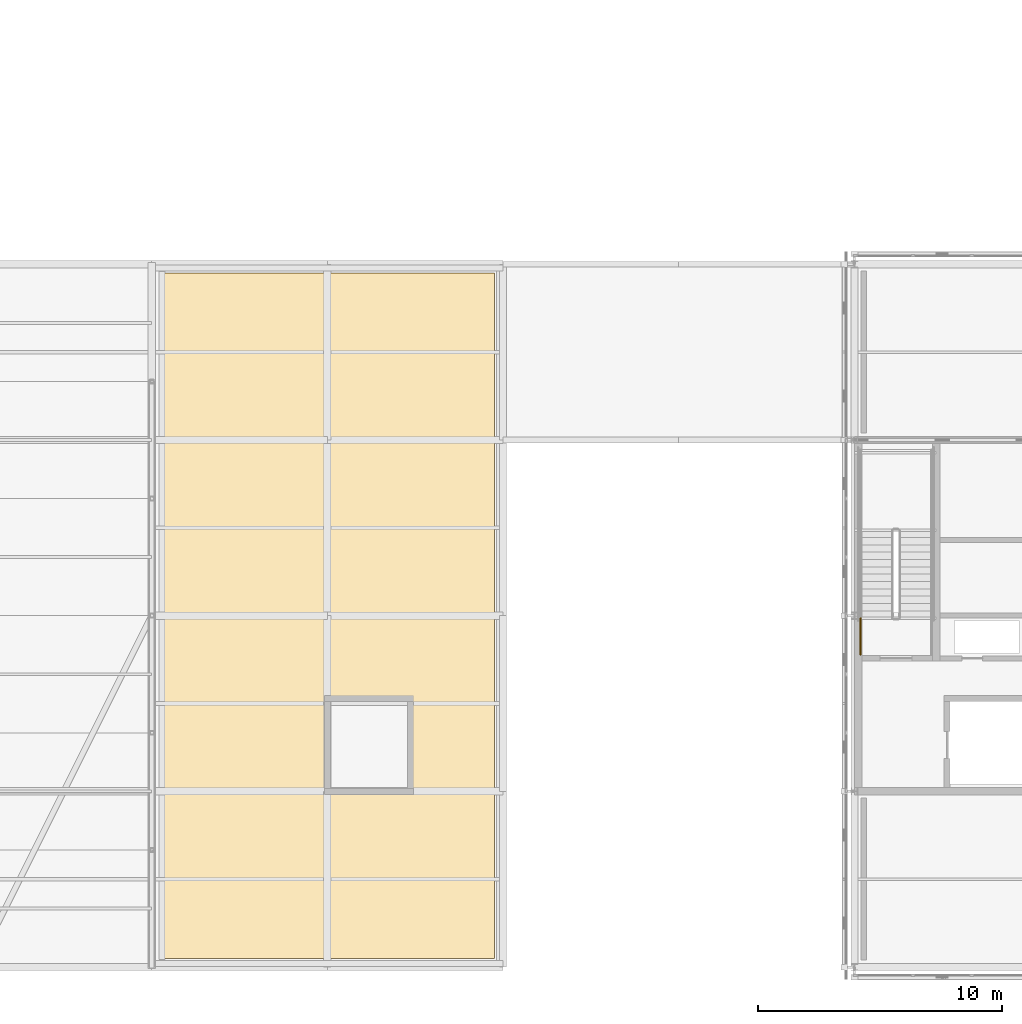
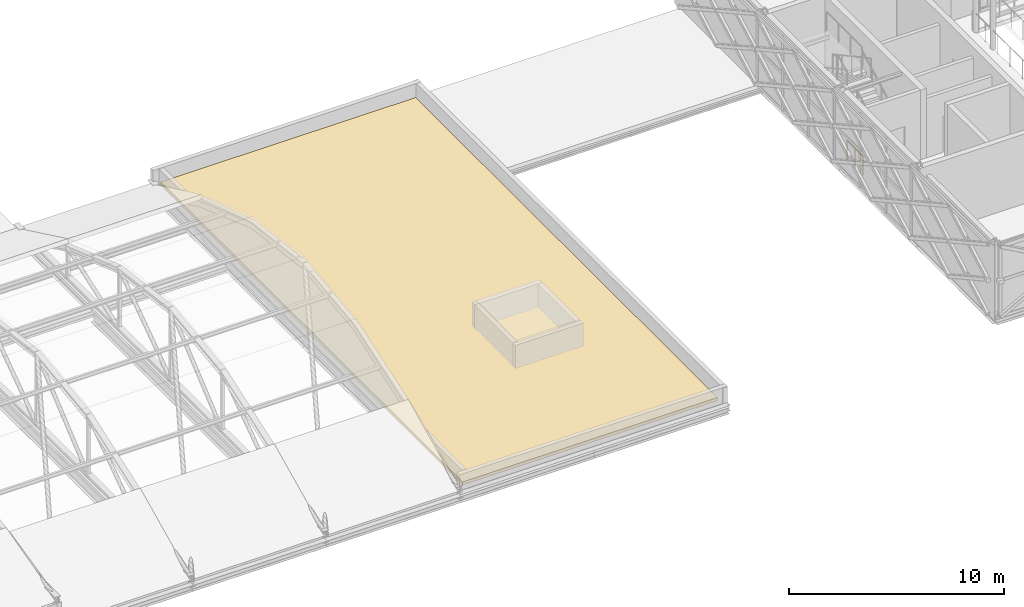
# One storey, part 96 of 103: 1 covering, 1 railing.
"""IFC4 building model written with IfcOpenShell, lengths in metres."""

from ifc_helpers import new_model, si_unit, direction, frame, origin, origin_2d, place, context, subcontext, project, spatial, polyline, circle, outline, extrude, material, layer, layer_set, type_object, element, save


model = new_model("IFC4")

# Units and contexts
model_context = context("Model", 3, precision=1e-05, world=origin(), true_north=direction((0.0, 1.0)))
body_context = subcontext(model_context, "Body", "Model", "MODEL_VIEW")
ifc_project = project(units=[si_unit("LENGTHUNIT", "METRE"), si_unit("AREAUNIT", "SQUARE_METRE"), si_unit("VOLUMEUNIT", "CUBIC_METRE"), si_unit("PLANEANGLEUNIT", "RADIAN"), si_unit("MASSUNIT", "GRAM", prefix="KILO")], contexts=[model_context])

# Site, building, storey
site_placement = place(None, origin())
site = spatial("IfcSite", under=ifc_project, at=site_placement, CompositionType="ELEMENT")
building_placement = place(site_placement, origin())
building = spatial("IfcBuilding", under=site, at=building_placement, Name="Zlatovets Crest Museum", CompositionType="ELEMENT")
storey_placement = place(building_placement, frame((0.0, 0.0, 12.89990234375)))
storey = spatial("IfcBuildingStorey", under=building, at=storey_placement, Name="L03", CompositionType="ELEMENT", Elevation=12.89990234375)

# Covering
ifc_material_1 = material(Name="Planted sedum and perennial roof-garden substrate")
ifc_layer = layer(ifc_material_1, 0.179931640625)
ifc_layer_set = layer_set([ifc_layer], Name="Planted sedum and perennial roof-garden substrate")
covering_type = type_object("IfcCoveringType", Name="RoofCov_Garden", PredefinedType="ROOFING", material=ifc_layer_set)
covering_placement = place(storey_placement, origin())
element("IfcCovering", 1, at=covering_placement, inside=storey, type_object=covering_type, Name="V3E L03 Planted Sedum Green Roof", PredefinedType="ROOFING", context=body_context, shape_type="SweptSolid", body=[
    extrude(outline(polyline([(42.85009765625, 0.35009765625), (42.85009765625, 28.449951171875), (29.14990234375, 28.449951171875), (29.14990234375, 0.35009765625), (42.85009765625, 0.35009765625)])), origin(), (0.0, 0.0, 1.0), 0.18017578125),
])

# Railing
ifc_material_2 = material(Name="Painted steel safety guardrail", Category="steel")
railing_type = type_object("IfcRailingType", Name="StairGuard_SG01", PredefinedType="GUARDRAIL", material=ifc_material_2)
railing_placement = place(storey_placement, frame((57.85009765625, 12.800048828125, 0.0)))
element("IfcRailing", 2, at=railing_placement, inside=storey, type_object=railing_type, Name="L03 ST2 stair guard 8", PredefinedType="GUARDRAIL", context=body_context, shape_type="SweptSolid", body=[
    extrude(circle(Radius=0.02392578125, at=origin_2d()), frame((0.0, 0.0, 1.076171875), z_axis=(0.0, 1.0, 0.0), x_axis=(-1.0, 0.0, 0.0)), (0.0, 0.0, 1.0), 1.5),
    extrude(circle(Radius=0.02099609375, at=origin_2d()), origin(), (0.0, 0.0, 1.0), 1.052001953125),
    extrude(circle(Radius=0.02099609375, at=origin_2d()), frame((0.0, 0.75, 0.0)), (0.0, 0.0, 1.0), 1.052001953125),
    extrude(circle(Radius=0.02099609375, at=origin_2d()), frame((0.0, 1.5, 0.0)), (0.0, 0.0, 1.0), 1.052001953125),
])

save(model, "model.ifc")
